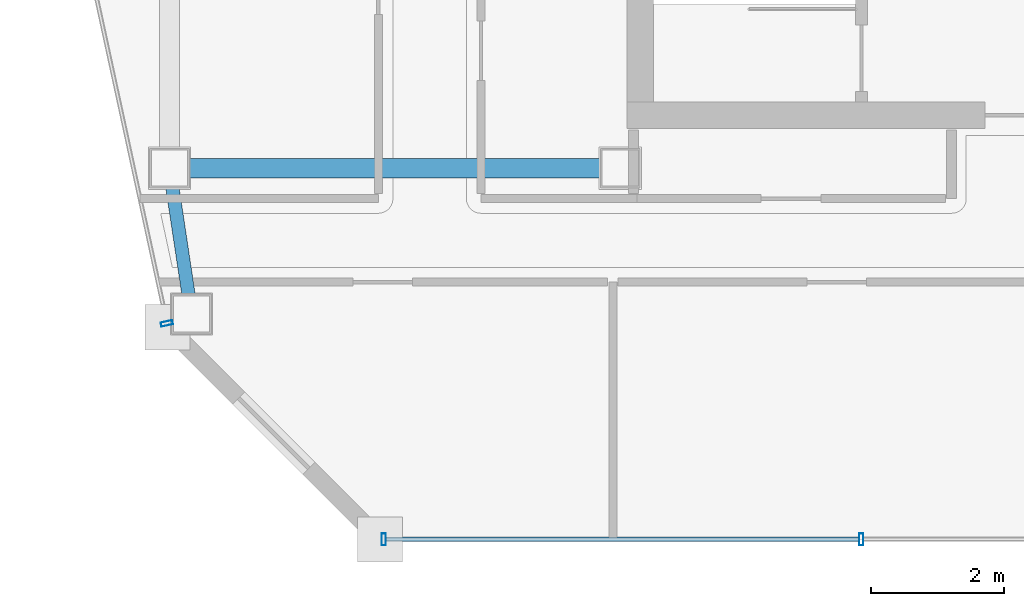
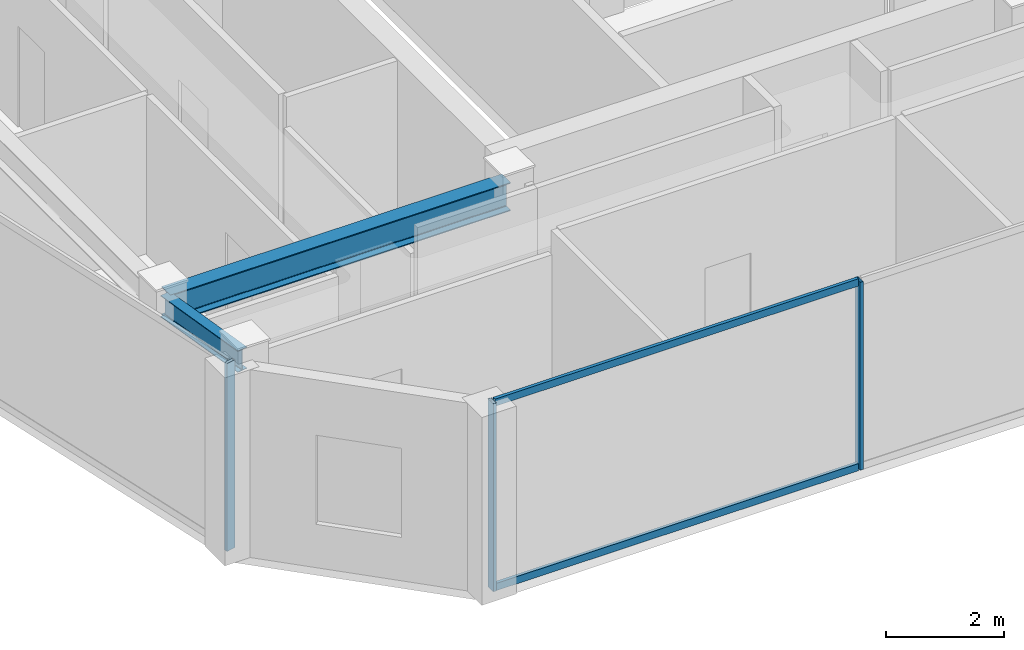
# One storey, part 2 of 17: 5 members, 2 beams, 2 elements without a shape of their own.
"""IFC4 building model written with IfcOpenShell, lengths in metres."""

from ifc_helpers import new_model, si_unit, direction, frame, origin, origin_2d, place, context, subcontext, project, spatial, hollow_rectangle, i_section, extrude, material, material_profile, profile_set, type_object, element, aggregate, save


model = new_model("IFC4")

# Units and contexts
model_context = context("Model", 3, precision=1e-05, world=origin(), true_north=direction((0.0, 1.0)))
body_context = subcontext(model_context, "Body", "Model", "MODEL_VIEW")
ifc_project = project(units=[si_unit("LENGTHUNIT", "METRE"), si_unit("AREAUNIT", "SQUARE_METRE"), si_unit("VOLUMEUNIT", "CUBIC_METRE"), si_unit("PLANEANGLEUNIT", "RADIAN"), si_unit("MASSUNIT", "GRAM", prefix="KILO")], contexts=[model_context])

# Site, building, storey
site_placement = place(None, origin())
site = spatial("IfcSite", under=ifc_project, at=site_placement, CompositionType="ELEMENT")
building_placement = place(site_placement, origin())
building = spatial("IfcBuilding", under=site, at=building_placement, Name="Saevonmaru Cultural Tower", CompositionType="ELEMENT")
storey_placement = place(building_placement, frame((0.0, 0.0, 323.39990234375)))
storey = spatial("IfcBuildingStorey", under=building, at=storey_placement, Name="L77", CompositionType="ELEMENT", Elevation=323.39990234375)

# Beams
ifc_material_1 = material(Name="Steel SM355", Category="steel")
ifc_material_profile_1 = material_profile(ifc_material_1, i_section(OverallWidth=0.300048828125, OverallDepth=0.587890625, WebThickness=0.011962890625, FlangeThickness=0.02001953125, FilletRadius=0.02392578125, at=origin_2d()), Name="H-588x300x12x20")
ifc_profile_set_1 = profile_set([ifc_material_profile_1], Name="Steel SM355")
beam_type_1 = type_object("IfcBeamType", Name="BM-G-H588", PredefinedType="BEAM", material=ifc_profile_set_1)
beam_1_placement = place(storey_placement, frame((6.860107421875, 42.39990234375, 3.606201171875), z_axis=(1.0, 0.0, 0.0), x_axis=(0.0, 1.0, 0.0)))
element("IfcBeam", 1, at=beam_1_placement, inside=storey, type_object=beam_type_1, Name="L77 Core South Girder 1", PredefinedType="BEAM", context=body_context, shape_type="SweptSolid", body=[
    extrude(i_section(OverallWidth=0.300048828125, OverallDepth=0.587890625, WebThickness=0.011962890625, FlangeThickness=0.02001953125, FilletRadius=0.02392578125, at=origin_2d()), origin(), (0.0, 0.0, 1.0), 6.679931640625),
])
ifc_material_profile_2 = material_profile(ifc_material_1, i_section(OverallWidth=0.199951171875, OverallDepth=0.449951171875, WebThickness=0.009033203125, FlangeThickness=0.013916015625, FilletRadius=0.01806640625, at=origin_2d()), Name="H-450x200x9x14")
ifc_profile_set_2 = profile_set([ifc_material_profile_2], Name="Steel SM355")
beam_type_2 = type_object("IfcBeamType", Name="BM-SP-H450", PredefinedType="SPANDREL", material=ifc_profile_set_2)
beam_2_placement = place(storey_placement, frame((7.123046875, 40.25927734375, 3.675048828125), z_axis=(-0.149145717006, 0.988815227987, 0.0), x_axis=(-0.988815227987, -0.149145717006, 0.0)))
element("IfcBeam", 2, at=beam_2_placement, inside=storey, type_object=beam_type_2, Name="L77 West Splayed Spandrel 1", PredefinedType="SPANDREL", context=body_context, shape_type="SweptSolid", body=[
    extrude(i_section(OverallWidth=0.199951171875, OverallDepth=0.449951171875, WebThickness=0.009033203125, FlangeThickness=0.013916015625, FilletRadius=0.01806640625, at=origin_2d()), origin(), (0.0, 0.0, 1.0), 2.10498046875),
])

# Curtain wall, members
ifc_material_2 = material(Name="Satin Bronze Anodised Aluminium", Category="aluminium")
curtain_wall_type = type_object("IfcCurtainWallType", Name="CW-SKY-GLZ", PredefinedType="NOTDEFINED", material=ifc_material_2)
curtain_wall_1_placement = place(storey_placement, origin())
curtain_wall_1 = element("IfcCurtainWall", 3, at=curtain_wall_1_placement, inside=storey, type_object=curtain_wall_type, Name="L77 Unitised Curtain Wall E2", PredefinedType="NOTDEFINED")
ifc_material_profile_3 = material_profile(ifc_material_2, hollow_rectangle(XDim=0.06494140625, YDim=0.179931640625, WallThickness=0.00390625, at=origin_2d()), Name="ALU-MULL-180x65x4")
ifc_profile_set_3 = profile_set([ifc_material_profile_3], Name="Satin Bronze Anodised Aluminium")
member_type_1 = type_object("IfcMemberType", Name="ML-CW-180x65", PredefinedType="MULLION", material=ifc_profile_set_3)
member_1_placement = place(storey_placement, frame((10.033203125, 36.800048828125, 0.0), z_axis=(0.0, 0.0, 1.0), x_axis=(1.0, 0.0, 0.0)))
member_1 = element("IfcMember", 4, at=member_1_placement, type_object=member_type_1, Name="CW-TW-L77-E2 mullion 1", PredefinedType="MULLION", context=body_context, shape_type="SweptSolid", body=[
    extrude(hollow_rectangle(XDim=0.06494140625, YDim=0.179931640625, WallThickness=0.00390625, at=origin_2d()), origin(), (0.0, 0.0, 1.0), 3.900146484375),
])
member_2_placement = place(storey_placement, frame((17.236572265625, 36.800048828125, 0.0), z_axis=(0.0, 0.0, 1.0), x_axis=(1.0, 0.0, 0.0)))
member_2 = element("IfcMember", 5, at=member_2_placement, type_object=member_type_1, Name="CW-TW-L77-E2 mullion 2", PredefinedType="MULLION", context=body_context, shape_type="SweptSolid", body=[
    extrude(hollow_rectangle(XDim=0.06494140625, YDim=0.179931640625, WallThickness=0.00390625, at=origin_2d()), origin(), (0.0, 0.0, 1.0), 3.900146484375),
])

# Curtain wall, member
curtain_wall_2_placement = place(storey_placement, origin())
curtain_wall_2 = element("IfcCurtainWall", 6, at=curtain_wall_2_placement, inside=storey, type_object=curtain_wall_type, Name="L77 Unitised Curtain Wall E12", PredefinedType="NOTDEFINED")
member_3_placement = place(storey_placement, frame((6.760498046875, 40.05859375, 0.0), z_axis=(0.0, 0.0, 1.0), x_axis=(0.211750401587, -0.977323778196, 0.0)))
member_3 = element("IfcMember", 7, at=member_3_placement, type_object=member_type_1, Name="CW-TW-L77-E12 mullion 2", PredefinedType="MULLION", context=body_context, shape_type="SweptSolid", body=[
    extrude(hollow_rectangle(XDim=0.06494140625, YDim=0.179931640625, WallThickness=0.00390625, at=origin_2d()), origin(), (0.0, 0.0, 1.0), 3.900146484375),
])
aggregate(curtain_wall_2, [member_3])

# Member
ifc_material_profile_4 = material_profile(ifc_material_2, hollow_rectangle(XDim=0.06494140625, YDim=0.14990234375, WallThickness=0.00390625, at=origin_2d()), Name="ALU-TRAN-150x65x4")
ifc_profile_set_4 = profile_set([ifc_material_profile_4], Name="Satin Bronze Anodised Aluminium")
member_type_2 = type_object("IfcMemberType", Name="TR-CW-150x65", PredefinedType="USERDEFINED", material=ifc_profile_set_4)
member_4_placement = place(storey_placement, frame((10.06591796875, 36.800048828125, 0.03271484375), z_axis=(1.0, 0.0, 0.0), x_axis=(0.0, 1.0, 0.0)))
member_4 = element("IfcMember", 8, at=member_4_placement, type_object=member_type_2, Name="CW-TW-L77-E2 transom 1.1", ObjectType="TRANSOM", PredefinedType="USERDEFINED", context=body_context, shape_type="SweptSolid", body=[
    extrude(hollow_rectangle(XDim=0.06494140625, YDim=0.14990234375, WallThickness=0.00390625, at=origin_2d()), origin(), (0.0, 0.0, 1.0), 7.13818359375),
])

member_5_placement = place(storey_placement, frame((10.06591796875, 36.800048828125, 3.86767578125), z_axis=(1.0, 0.0, 0.0), x_axis=(0.0, 1.0, 0.0)))
member_5 = element("IfcMember", 9, at=member_5_placement, type_object=member_type_2, Name="CW-TW-L77-E2 transom 1.2", ObjectType="TRANSOM", PredefinedType="USERDEFINED", context=body_context, shape_type="SweptSolid", body=[
    extrude(hollow_rectangle(XDim=0.06494140625, YDim=0.14990234375, WallThickness=0.00390625, at=origin_2d()), origin(), (0.0, 0.0, 1.0), 7.13818359375),
])

aggregate(curtain_wall_1, [member_1, member_2, member_4, member_5])

save(model, "model.ifc")
